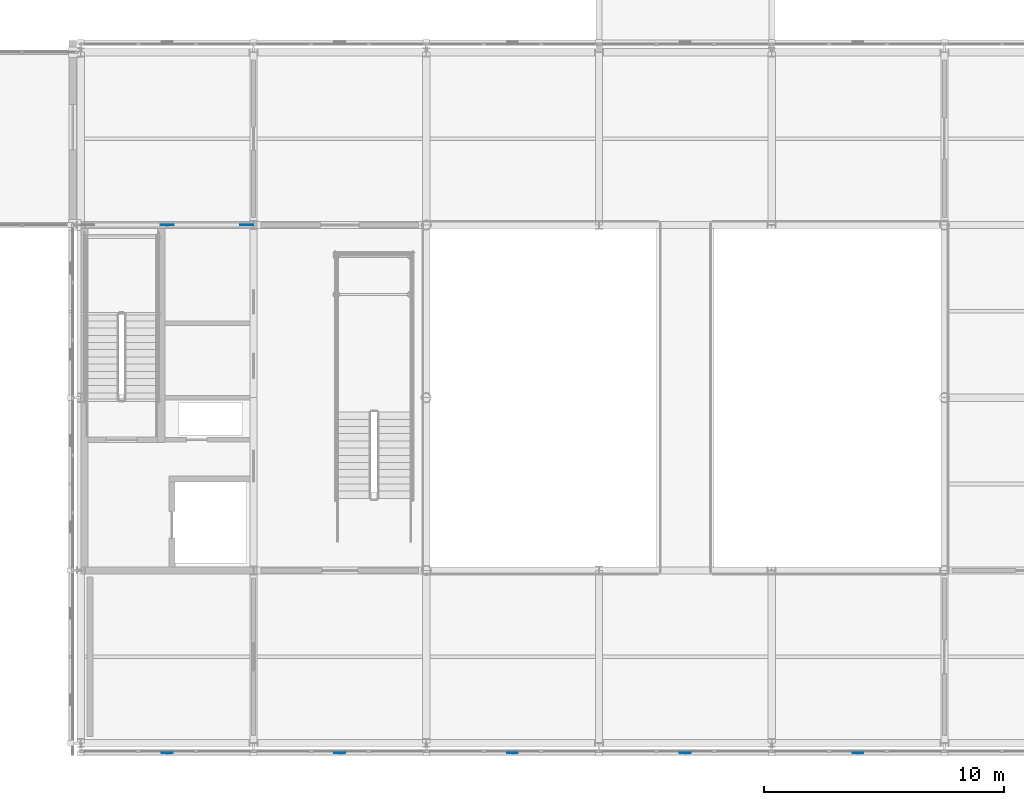
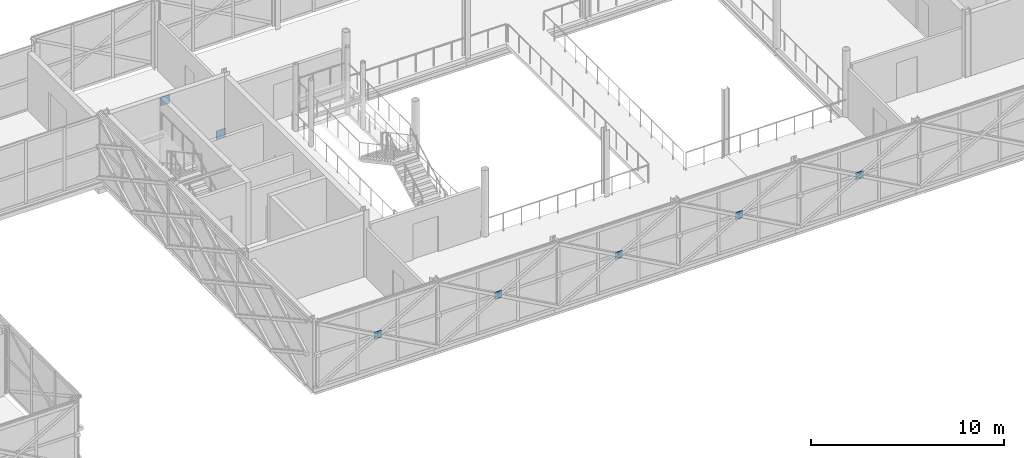
# One storey, part 87 of 126: 7 plates.
"""IFC4 building model written with IfcOpenShell, lengths in metres."""

from ifc_helpers import new_model, si_unit, direction, frame, origin, origin_2d, place, context, subcontext, project, spatial, rectangle, extrude, material, layer, layer_set, type_object, element, save


model = new_model("IFC4")

# Units and contexts
model_context = context("Model", 3, precision=1e-05, world=origin(), true_north=direction((0.0, 1.0)))
body_context = subcontext(model_context, "Body", "Model", "MODEL_VIEW")
ifc_project = project(units=[si_unit("LENGTHUNIT", "METRE"), si_unit("AREAUNIT", "SQUARE_METRE"), si_unit("VOLUMEUNIT", "CUBIC_METRE"), si_unit("PLANEANGLEUNIT", "RADIAN"), si_unit("MASSUNIT", "GRAM", prefix="KILO")], contexts=[model_context])

# Site, building, storey
site_placement = place(None, origin())
site = spatial("IfcSite", under=ifc_project, at=site_placement, CompositionType="ELEMENT")
building_placement = place(site_placement, origin())
building = spatial("IfcBuilding", under=site, at=building_placement, Name="Zlatovets Crest Museum", CompositionType="ELEMENT")
storey_placement = place(building_placement, frame((0.0, 0.0, 8.699951171875)))
storey = spatial("IfcBuildingStorey", under=building, at=storey_placement, Name="L02", CompositionType="ELEMENT", Elevation=8.699951171875)

# Plates
ifc_material = material(Name="Structural steel S355J2", Category="steel")
ifc_layer_1 = layer(ifc_material, 0.02490234375)
ifc_layer_set_1 = layer_set([ifc_layer_1], Name="Structural steel S355J2")
plate_type_1 = type_object("IfcPlateType", Name="Gusset_GP-01", PredefinedType="USERDEFINED", material=ifc_layer_set_1)
for number, where, z_axis, x_axis, name in (
    (1, (64.52001953125, 21.60009765625, 0.0048828125), (0.0, 0.0, 1.0), (1.0, 0.0, 0.0), "V2 L02 Brace End Gusset Plate GP-01"),
    (2, (61.199951171875, 21.60009765625, 3.294921875), (0.0, 0.0, 1.0), (1.0, 0.0, 0.0), "V2 L02 Brace End Gusset Plate GP-01"),
):
    element("IfcPlate", number, at=place(storey_placement, frame(where, z_axis=z_axis, x_axis=x_axis)), inside=storey, type_object=plate_type_1, Name=name, ObjectType="GUSSET", PredefinedType="USERDEFINED", context=body_context, shape_type="SweptSolid", body=[
        extrude(rectangle(XDim=0.550048828125, YDim=0.02490234375, at=origin_2d()), origin(), (0.0, 0.0, 1.0), 0.550048828125),
    ])
ifc_layer_2 = layer(ifc_material, 0.02001953125)
ifc_layer_set_2 = layer_set([ifc_layer_2], Name="Structural steel S355J2")
plate_type_2 = type_object("IfcPlateType", Name="Gusset_GP-04", PredefinedType="USERDEFINED", material=ifc_layer_set_2)
for number, where, z_axis, x_axis, name in (
    (3, (61.199951171875, -0.419921875, 1.875), (0.0, 0.0, 1.0), (1.0, 0.0, 0.0), "X-Brace Crossing Node Gusset Plate GP-04"),
    (4, (68.39990234375, -0.419921875, 1.875), (0.0, 0.0, 1.0), (1.0, 0.0, 0.0), "X-Brace Crossing Node Gusset Plate GP-04"),
    (5, (75.60009765625, -0.419921875, 1.875), (0.0, 0.0, 1.0), (1.0, 0.0, 0.0), "X-Brace Crossing Node Gusset Plate GP-04"),
    (6, (82.800048828125, -0.419921875, 1.875), (0.0, 0.0, 1.0), (1.0, 0.0, 0.0), "X-Brace Crossing Node Gusset Plate GP-04"),
    (7, (90.0, -0.419921875, 1.875), (0.0, 0.0, 1.0), (1.0, 0.0, 0.0), "X-Brace Crossing Node Gusset Plate GP-04"),
):
    element("IfcPlate", number, at=place(storey_placement, frame(where, z_axis=z_axis, x_axis=x_axis)), inside=storey, type_object=plate_type_2, Name=name, ObjectType="GUSSET", PredefinedType="USERDEFINED", context=body_context, shape_type="SweptSolid", body=[
        extrude(rectangle(XDim=0.449951171875, YDim=0.02001953125, at=origin_2d()), origin(), (0.0, 0.0, 1.0), 0.449951171875),
    ])

save(model, "model.ifc")
